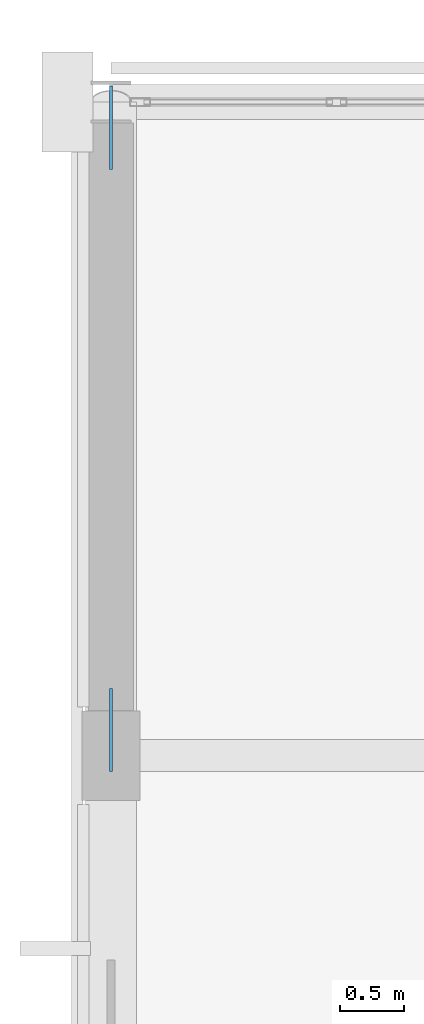
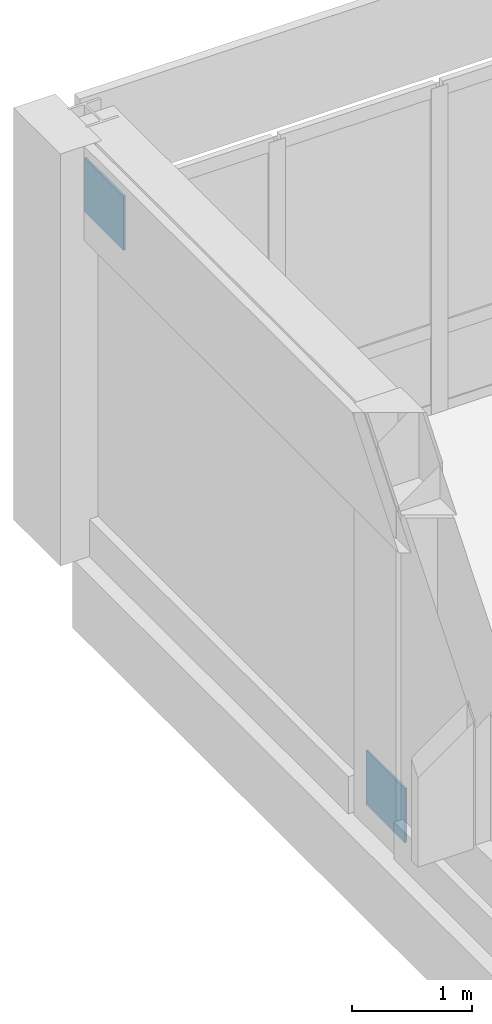
# One storey, part 153 of 185: 2 plates.
"""IFC4 building model written with IfcOpenShell, lengths in metres."""

from ifc_helpers import new_model, si_unit, direction, frame, origin, origin_2d, place, context, subcontext, project, spatial, rectangle, extrude, material, layer, layer_set, type_object, element, save


model = new_model("IFC4")

# Units and contexts
model_context = context("Model", 3, precision=1e-05, world=origin(), true_north=direction((0.0, 1.0)))
body_context = subcontext(model_context, "Body", "Model", "MODEL_VIEW")
ifc_project = project(units=[si_unit("LENGTHUNIT", "METRE"), si_unit("AREAUNIT", "SQUARE_METRE"), si_unit("VOLUMEUNIT", "CUBIC_METRE"), si_unit("PLANEANGLEUNIT", "RADIAN"), si_unit("MASSUNIT", "GRAM", prefix="KILO")], contexts=[model_context])

# Site, building, storey
site_placement = place(None, origin())
site = spatial("IfcSite", under=ifc_project, at=site_placement, CompositionType="ELEMENT")
building_placement = place(site_placement, origin())
building = spatial("IfcBuilding", under=site, at=building_placement, Name="Vondelvale Polytechnic", CompositionType="ELEMENT")
storey_placement = place(building_placement, frame((0.0, 0.0, 9.60009765625)))
storey = spatial("IfcBuildingStorey", under=building, at=storey_placement, Name="L02", CompositionType="ELEMENT", Elevation=9.60009765625)

# Plates
ifc_material = material(Name="Steel Grade 350 (fy = 340 MPa)", Category="steel")
ifc_layer = layer(ifc_material, 0.02001953125)
ifc_layer_set = layer_set([ifc_layer], Name="PLATE-GUSSET-20")
plate_type = type_object("IfcPlateType", Name="PLATE-GUSSET-20", PredefinedType="USERDEFINED", material=ifc_layer_set)
for number, where, z_axis, x_axis, name in (
    (1, (0.0, 117.5, -0.0751953125), (0.0, 0.0, 1.0), (1.0, 0.0, 0.0), "L02 frame brace B knife gusset plate 7"),
    (2, (0.0, 122.199951171875, 3.11474609375), (0.0, 0.0, 1.0), (1.0, 0.0, 0.0), "L02 frame brace T knife gusset plate 7"),
):
    element("IfcPlate", number, at=place(storey_placement, frame(where, z_axis=z_axis, x_axis=x_axis)), inside=storey, type_object=plate_type, Name=name, ObjectType="GUSSET_PLATE", PredefinedType="USERDEFINED", context=body_context, shape_type="SweptSolid", body=[
        extrude(rectangle(XDim=0.02001953125, YDim=0.64990234375, at=origin_2d()), origin(), (0.0, 0.0, 1.0), 0.550048828125),
    ])

save(model, "model.ifc")
